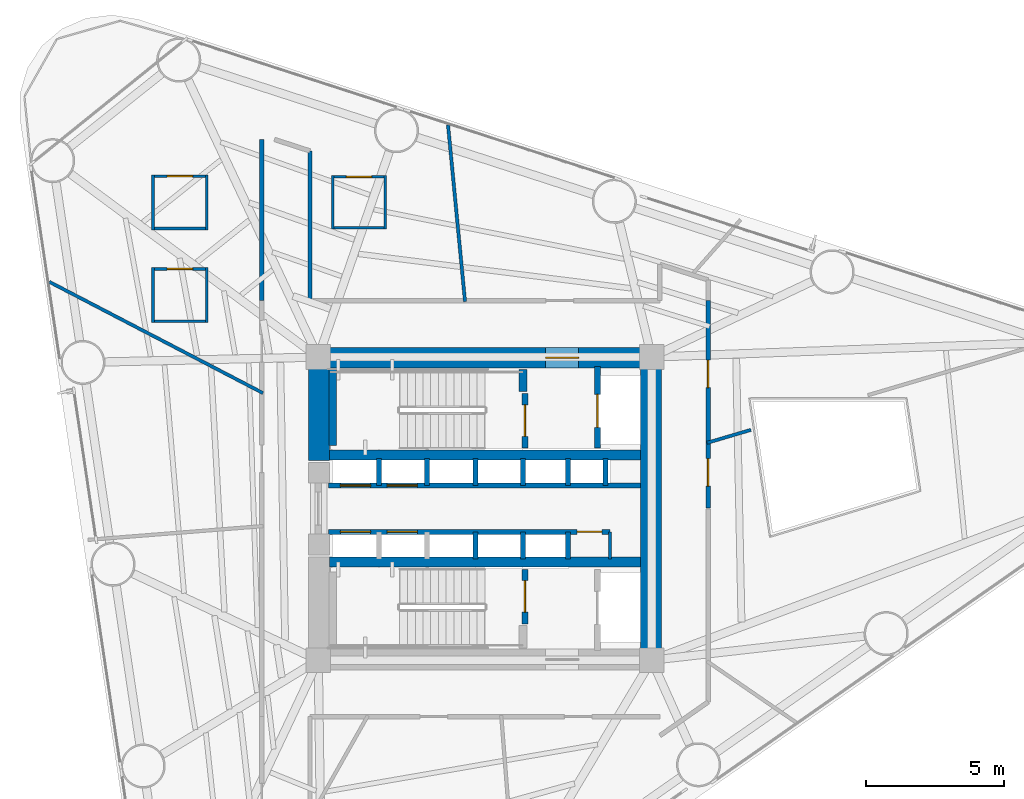
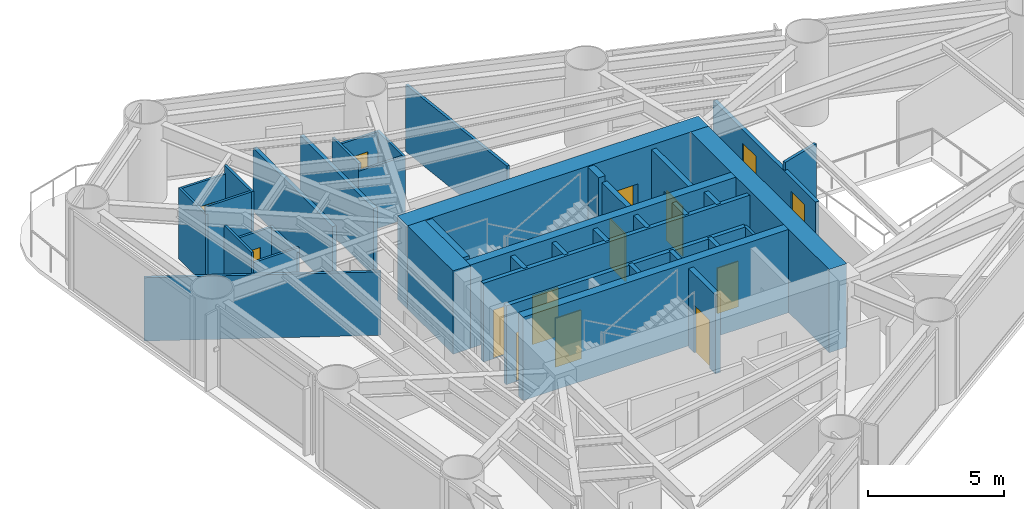
# One storey, part 6 of 9: 40 walls, 14 doors, 14 openings.
"""IFC4 building model written with IfcOpenShell, lengths in metres."""

from ifc_helpers import new_model, si_unit, direction, frame, frame_2d, origin, place, context, subcontext, project, spatial, rectangle, extrude, material, layer, layer_set, type_object, element, fill, save


model = new_model("IFC4")

# Units and contexts
model_context = context("Model", 3, precision=1e-05, world=origin(), true_north=direction((0.0, 1.0)))
body_context = subcontext(model_context, "Body", "Model", "MODEL_VIEW")
ifc_project = project(units=[si_unit("LENGTHUNIT", "METRE"), si_unit("AREAUNIT", "SQUARE_METRE"), si_unit("VOLUMEUNIT", "CUBIC_METRE"), si_unit("PLANEANGLEUNIT", "RADIAN"), si_unit("MASSUNIT", "GRAM", prefix="KILO")], contexts=[model_context])

# Site, building, storey
site_placement = place(None, origin())
site = spatial("IfcSite", under=ifc_project, at=site_placement, CompositionType="ELEMENT")
building_placement = place(site_placement, origin())
building = spatial("IfcBuilding", under=site, at=building_placement, Name="Yunling Apex Tower", CompositionType="ELEMENT")
storey_placement = place(building_placement, frame((0.0, 0.0, 73.550048828125)))
storey = spatial("IfcBuildingStorey", under=building, at=storey_placement, Name="L19", CompositionType="ELEMENT", Elevation=73.550048828125)

# Wall, opening, door
ifc_material_1 = material(Name="Concrete C60", Category="concrete")
ifc_layer_1 = layer(ifc_material_1, 0.75)
ifc_layer_set_1 = layer_set([ifc_layer_1], Name="Concrete C60")
wall_type_1 = type_object("IfcWallType", Name="WL-COR-1", PredefinedType="SHEAR", material=ifc_layer_set_1)
wall_1_placement = place(storey_placement, frame((-6.39990234375, 5.47509765625, 0.0), z_axis=(0.0, 0.0, 1.0), x_axis=(1.0, 0.0, 0.0)))
wall_1 = element("IfcWall", 1, at=wall_1_placement, inside=storey, type_object=wall_type_1, Name="L19 North Core Shear Wall", PredefinedType="SHEAR", context=body_context, shape_type="SweptSolid", body=[
    extrude(rectangle(XDim=12.7998046875, YDim=0.75, at=frame_2d((6.39990234375, 0.0))), origin(), (0.0, 0.0, 1.0), 3.75),
])
opening_1_placement = place(wall_1_placement, frame((8.60009765625, 0.0, 0.0)))
opening_1 = element("IfcOpeningElement", 2, at=opening_1_placement, cuts=wall_1, Name="Opening DR-FFL-1", PredefinedType="OPENING", context=body_context, shape_type="SweptSolid", body=[
    extrude(rectangle(XDim=1.199951171875, YDim=2.199951171875, at=frame_2d((0.60009765625, 1.10009765625))), frame((0.0, 0.385009765625, 0.0), z_axis=(0.0, -1.0, 0.0), x_axis=(1.0, 0.0, 0.0)), (0.0, 0.0, 1.0), 0.77001953125),
])
ifc_material_2 = material(Name="Steel Q355B", Category="steel")
door_type_1 = type_object("IfcDoorType", Name="DR-FFL-1", OperationType="NOTDEFINED", PredefinedType="DOOR", material=ifc_material_2)
door_1_placement = place(opening_1_placement, origin())
door_1 = element("IfcDoor", 3, at=door_1_placement, inside=storey, type_object=door_type_1, Name="L19 North Firefighting Lobby Door", OperationType="SINGLE_SWING_LEFT", OverallHeight=2.199951171875, OverallWidth=1.199951171875, PredefinedType="DOOR", context=body_context, shape_type="SweptSolid", body=[
    extrude(rectangle(XDim=1.199951171875, YDim=2.199951171875, at=frame_2d((0.60009765625, 1.10009765625))), frame((0.0, 0.02490234375, 0.0), z_axis=(0.0, -1.0, 0.0), x_axis=(1.0, 0.0, 0.0)), (0.0, 0.0, 1.0), 0.050048828125),
])
fill(opening_1, door_1)

# Walls
wall_2_placement = place(storey_placement, frame((6.02490234375, -5.10009765625, 0.0), z_axis=(0.0, 0.0, 1.0), x_axis=(0.0, 1.0, 0.0)))
element("IfcWall", 4, at=wall_2_placement, inside=storey, type_object=wall_type_1, Name="L19 East Core Shear Wall", PredefinedType="SHEAR", context=body_context, shape_type="SweptSolid", body=[
    extrude(rectangle(XDim=10.2001953125, YDim=0.75, at=frame_2d((5.10009765625, 0.0))), origin(), (0.0, 0.0, 1.0), 3.75),
])
wall_3_placement = place(storey_placement, frame((-6.02490234375, 1.75, 0.0), z_axis=(0.0, 0.0, 1.0), x_axis=(0.0, 1.0, 0.0)))
element("IfcWall", 5, at=wall_3_placement, inside=storey, type_object=wall_type_1, Name="L19 West-North Core Shear Wall", PredefinedType="SHEAR", context=body_context, shape_type="SweptSolid", body=[
    extrude(rectangle(XDim=3.35009765625, YDim=0.75, at=frame_2d((1.675048828125, 0.0))), origin(), (0.0, 0.0, 1.0), 3.75),
])
ifc_material_3 = material(Name="Concrete C40", Category="concrete")
ifc_layer_2 = layer(ifc_material_3, 0.360107421875)
ifc_layer_set_2 = layer_set([ifc_layer_2], Name="Concrete C40")
wall_type_2 = type_object("IfcWallType", Name="WL-COR-4", PredefinedType="SHEAR", material=ifc_layer_set_2)
for number, where, z_axis, x_axis, name in (
    (6, (-5.64990234375, 1.93994140625, 0.0), (0.0, 0.0, 1.0), (1.0, 0.0, 0.0), "L19 North Internal Core Shear Wall"),
    (7, (-5.64990234375, -1.93994140625, 0.0), (0.0, 0.0, 1.0), (1.0, 0.0, 0.0), "L19 South Internal Core Shear Wall"),
):
    element("IfcWall", number, at=place(storey_placement, frame(where, z_axis=z_axis, x_axis=x_axis)), inside=storey, type_object=wall_type_2, Name=name, PredefinedType="SHEAR", context=body_context, shape_type="SweptSolid", body=[
        extrude(rectangle(XDim=11.2998046875, YDim=0.360107421875, at=frame_2d((5.64990234375, 0.0))), origin(), (0.0, 0.0, 1.0), 3.75),
    ])
ifc_layer_3 = layer(ifc_material_3, 0.280029296875)
ifc_layer_set_3 = layer_set([ifc_layer_3], Name="Concrete C40")
wall_type_3 = type_object("IfcWallType", Name="WL-COR-8", PredefinedType="SHEAR", material=ifc_layer_set_3)
wall_4_placement = place(storey_placement, frame((-5.52001953125, 2.300048828125, 0.0), z_axis=(0.0, 0.0, 1.0), x_axis=(0.0, 1.0, 0.0)))
element("IfcWall", 8, at=wall_4_placement, inside=storey, type_object=wall_type_3, Name="L19 ST-1 West Landing Bearing Wall", PredefinedType="SHEAR", context=body_context, shape_type="SweptSolid", body=[
    extrude(rectangle(XDim=2.75, YDim=0.280029296875, at=frame_2d((1.375, 0.0))), origin(), (0.0, 0.0, 1.0), 3.75),
])
wall_5_placement = place(storey_placement, frame((1.3798828125, 4.25, 0.0), z_axis=(0.0, 0.0, 1.0), x_axis=(0.0, 1.0, 0.0)))
element("IfcWall", 9, at=wall_5_placement, inside=storey, type_object=wall_type_3, Name="L19 ST-1 East Landing Bearing Pier", PredefinedType="SHEAR", context=body_context, shape_type="SweptSolid", body=[
    extrude(rectangle(XDim=0.800048828125, YDim=0.280029296875, at=frame_2d((0.39990234375, 0.0))), origin(), (0.0, 0.0, 1.0), 3.75),
])
ifc_material_4 = material(Name="Gypsum board acoustic partition")
ifc_layer_4 = layer(ifc_material_4, 0.159912109375)
ifc_layer_set_4 = layer_set([ifc_layer_4], Name="Gypsum board acoustic partition")
wall_type_4 = type_object("IfcWallType", Name="WL-PRT-1", PredefinedType="PARTITIONING", material=ifc_layer_set_4)
wall_6_placement = place(storey_placement, frame((-8.10009765625, 7.550048828125, 0.0), z_axis=(0.0, 0.0, 1.0), x_axis=(0.0, 1.0, 0.0)))
element("IfcWall", 10, at=wall_6_placement, inside=storey, type_object=wall_type_4, Name="WL-CORR-L19-03", PredefinedType="PARTITIONING", context=body_context, shape_type="SweptSolid", body=[
    extrude(rectangle(XDim=5.849853515625, YDim=0.159912109375, at=frame_2d((2.9248046875, 0.0))), origin(), (0.0, 0.0, 1.0), 2.849853515625),
])
wall_7_placement = place(storey_placement, frame((-6.35009765625, 12.9814453125, 0.0), z_axis=(0.0, 0.0, 1.0), x_axis=(0.0, -1.0, 0.0)))
element("IfcWall", 11, at=wall_7_placement, inside=storey, type_object=wall_type_4, Name="WL-CORR-L19-06", PredefinedType="PARTITIONING", context=body_context, shape_type="SweptSolid", body=[
    extrude(rectangle(XDim=5.431396484375, YDim=0.159912109375, at=frame_2d((2.7158203125, 0.0))), origin(), (0.0, 0.0, 1.0), 3.050048828125),
])

# Wall, openings, doors
wall_8_placement = place(storey_placement, frame((8.10009765625, 7.550048828125, 0.0), z_axis=(0.0, 0.0, 1.0), x_axis=(0.0, -1.0, 0.0)))
wall_8 = element("IfcWall", 12, at=wall_8_placement, inside=storey, type_object=wall_type_4, Name="WL-CORR-L19-11", PredefinedType="PARTITIONING", context=body_context, shape_type="SweptSolid", body=[
    extrude(rectangle(XDim=7.530029296875, YDim=0.159912109375, at=frame_2d((3.76513671875, 0.0))), origin(), (0.0, 0.0, 1.0), 2.849853515625),
])
opening_2_placement = place(wall_8_placement, frame((2.156005859375, 0.0, 0.0)))
opening_2 = element("IfcOpeningElement", 13, at=opening_2_placement, cuts=wall_8, Name="Opening DR-OFF-1", PredefinedType="OPENING", context=body_context, shape_type="SweptSolid", body=[
    extrude(rectangle(XDim=1.0, YDim=2.25, at=frame_2d((0.5, 1.125))), frame((0.0, 0.08984375, 0.0), z_axis=(0.0, -1.0, 0.0), x_axis=(1.0, 0.0, 0.0)), (0.0, 0.0, 1.0), 0.179931640625),
])
opening_3_placement = place(wall_8_placement, frame((5.736083984375, 0.0, 0.0)))
opening_3 = element("IfcOpeningElement", 14, at=opening_3_placement, cuts=wall_8, Name="Opening DR-OFF-1", PredefinedType="OPENING", context=body_context, shape_type="SweptSolid", body=[
    extrude(rectangle(XDim=1.0, YDim=2.25, at=frame_2d((0.5, 1.125))), frame((0.0, 0.08984375, 0.0), z_axis=(0.0, -1.0, 0.0), x_axis=(1.0, 0.0, 0.0)), (0.0, 0.0, 1.0), 0.179931640625),
])
ifc_material_5 = material(Name="Bronze anodised aluminium", Category="aluminium")
door_type_2 = type_object("IfcDoorType", Name="DR-OFF-1", OperationType="NOTDEFINED", PredefinedType="DOOR", material=ifc_material_5)
door_2_placement = place(opening_2_placement, origin())
door_2 = element("IfcDoor", 15, at=door_2_placement, inside=storey, type_object=door_type_2, Name="L19 Open Plan Office Door", OperationType="SINGLE_SWING_RIGHT", OverallHeight=2.25, OverallWidth=1.0, PredefinedType="DOOR", context=body_context, shape_type="SweptSolid", body=[
    extrude(rectangle(XDim=1.0, YDim=2.25, at=frame_2d((0.5, 1.125))), frame((0.0, 0.02490234375, 0.0), z_axis=(0.0, -1.0, 0.0), x_axis=(1.0, 0.0, 0.0)), (0.0, 0.0, 1.0), 0.050048828125),
])
fill(opening_2, door_2)
door_3_placement = place(opening_3_placement, origin())
door_3 = element("IfcDoor", 16, at=door_3_placement, inside=storey, type_object=door_type_2, Name="L19 Business Reading Lounge Door", OperationType="SINGLE_SWING_LEFT", OverallHeight=2.25, OverallWidth=1.0, PredefinedType="DOOR", context=body_context, shape_type="SweptSolid", body=[
    extrude(rectangle(XDim=1.0, YDim=2.25, at=frame_2d((0.5, 1.125))), frame((0.0, 0.02490234375, 0.0), z_axis=(0.0, -1.0, 0.0), x_axis=(1.0, 0.0, 0.0)), (0.0, 0.0, 1.0), 0.050048828125),
])
fill(opening_3, door_3)

# Walls
ifc_layer_5 = layer(ifc_material_4, 0.1201171875)
ifc_layer_set_5 = layer_set([ifc_layer_5], Name="Gypsum board acoustic partition")
wall_type_5 = type_object("IfcWallType", Name="WL-PRT-3", PredefinedType="PARTITIONING", material=ifc_layer_set_5)
wall_9_placement = place(storey_placement, frame((-0.72314453125, 7.510009765625, 0.0), z_axis=(0.0, 0.0, 1.0), x_axis=(-0.095840941038, 0.995396661648, 0.0)))
element("IfcWall", 17, at=wall_9_placement, inside=storey, type_object=wall_type_5, Name="WL-RAD-L19-01", PredefinedType="PARTITIONING", context=body_context, shape_type="SweptSolid", body=[
    extrude(rectangle(XDim=6.442138671875, YDim=0.1201171875, at=frame_2d((3.22119140625, 0.0))), origin(), (0.0, 0.0, 1.0), 3.010009765625),
])
wall_10_placement = place(storey_placement, frame((-8.06005859375, 4.19580078125, 0.0), z_axis=(0.0, 0.0, 1.0), x_axis=(-0.887015422537, 0.461739797052, 0.0)))
element("IfcWall", 18, at=wall_10_placement, inside=storey, type_object=wall_type_5, Name="WL-RAD-L19-02", PredefinedType="PARTITIONING", context=body_context, shape_type="SweptSolid", body=[
    extrude(rectangle(XDim=8.737548828125, YDim=0.1201171875, at=frame_2d((4.36865234375, 0.0))), origin(), (0.0, 0.0, 1.0), 2.849853515625),
])
wall_11_placement = place(storey_placement, frame((8.06005859375, 2.387451171875, 0.0), z_axis=(0.0, 0.0, 1.0), x_axis=(0.958783289971, 0.28413835164, 0.0)))
element("IfcWall", 19, at=wall_11_placement, inside=storey, type_object=wall_type_5, Name="WL-RAD-L19-08", PredefinedType="PARTITIONING", context=body_context, shape_type="SweptSolid", body=[
    extrude(rectangle(XDim=1.661865234375, YDim=0.1201171875, at=frame_2d((0.8310546875, 0.0))), origin(), (0.0, 0.0, 1.0), 3.2099609375),
])
ifc_layer_6 = layer(ifc_material_4, 0.10009765625)
ifc_layer_set_6 = layer_set([ifc_layer_6], Name="Gypsum board acoustic partition")
wall_type_6 = type_object("IfcWallType", Name="WL-PRT-4", PredefinedType="PARTITIONING", material=ifc_layer_set_6)
wall_12_placement = place(storey_placement, frame((4.5400390625, -1.820068359375, 0.0), z_axis=(0.0, 0.0, 1.0), x_axis=(0.0, 1.0, 0.0)))
element("IfcWall", 20, at=wall_12_placement, inside=storey, type_object=wall_type_6, Name="WL-KASE-E-L19", PredefinedType="PARTITIONING", context=body_context, shape_type="SweptSolid", body=[
    extrude(rectangle(XDim=0.97998046875, YDim=0.10009765625, at=frame_2d((0.489990234375, 0.0))), origin(), (0.0, 0.0, 1.0), 3.544921875),
])

# Wall, opening, door
wall_13_placement = place(storey_placement, frame((-12.096923828125, 12.06689453125, 0.0), z_axis=(0.0, 0.0, 1.0), x_axis=(1.0, 0.0, 0.0)))
wall_13 = element("IfcWall", 21, at=wall_13_placement, inside=storey, type_object=wall_type_6, Name="WL-L19-WCMN", PredefinedType="PARTITIONING", context=body_context, shape_type="SweptSolid", body=[
    extrude(rectangle(XDim=2.0498046875, YDim=0.10009765625, at=frame_2d((1.02490234375, 0.0))), origin(), (0.0, 0.0, 1.0), 3.199951171875),
])
opening_4_placement = place(wall_13_placement, frame((0.56494140625, 0.0, 0.0)))
opening_4 = element("IfcOpeningElement", 22, at=opening_4_placement, cuts=wall_13, Name="Opening DR-WC-1", PredefinedType="OPENING", context=body_context, shape_type="SweptSolid", body=[
    extrude(rectangle(XDim=0.919921875, YDim=2.10009765625, at=frame_2d((0.4599609375, 1.050048828125))), frame((0.0, 0.06005859375, 0.0), z_axis=(0.0, -1.0, 0.0), x_axis=(1.0, 0.0, 0.0)), (0.0, 0.0, 1.0), 0.1201171875),
])
ifc_material_6 = material(Name="Timber moisture-resistant leaf", Category="wood")
door_type_3 = type_object("IfcDoorType", Name="DR-WC-1", OperationType="NOTDEFINED", PredefinedType="DOOR", material=ifc_material_6)
door_4_placement = place(opening_4_placement, origin())
door_4 = element("IfcDoor", 23, at=door_4_placement, inside=storey, type_object=door_type_3, Name="L19 Male Toilet Door", OperationType="SINGLE_SWING_LEFT", OverallHeight=2.10009765625, OverallWidth=0.919921875, PredefinedType="DOOR", context=body_context, shape_type="SweptSolid", body=[
    extrude(rectangle(XDim=0.919921875, YDim=2.10009765625, at=frame_2d((0.4599609375, 1.050048828125))), frame((0.0, 0.02490234375, 0.0), z_axis=(0.0, -1.0, 0.0), x_axis=(1.0, 0.0, 0.0)), (0.0, 0.0, 1.0), 0.050048828125),
])
fill(opening_4, door_4)

# Walls
wall_14_placement = place(storey_placement, frame((-10.047119140625, 10.1669921875, 0.0), z_axis=(0.0, 0.0, 1.0), x_axis=(-1.0, 0.0, 0.0)))
element("IfcWall", 24, at=wall_14_placement, inside=storey, type_object=wall_type_6, Name="WL-L19-WCMS", PredefinedType="PARTITIONING", context=body_context, shape_type="SweptSolid", body=[
    extrude(rectangle(XDim=2.0498046875, YDim=0.10009765625, at=frame_2d((1.02490234375, 0.0))), origin(), (0.0, 0.0, 1.0), 3.544921875),
])
wall_15_placement = place(storey_placement, frame((-10.096923828125, 12.116943359375, 0.0), z_axis=(0.0, 0.0, 1.0), x_axis=(0.0, -1.0, 0.0)))
element("IfcWall", 25, at=wall_15_placement, inside=storey, type_object=wall_type_6, Name="WL-L19-WCME", PredefinedType="PARTITIONING", context=body_context, shape_type="SweptSolid", body=[
    extrude(rectangle(XDim=2.0, YDim=0.10009765625, at=frame_2d((1.0, 0.0))), origin(), (0.0, 0.0, 1.0), 3.544921875),
])
wall_16_placement = place(storey_placement, frame((-12.047119140625, 10.116943359375, 0.0), z_axis=(0.0, 0.0, 1.0), x_axis=(0.0, 1.0, 0.0)))
element("IfcWall", 26, at=wall_16_placement, inside=storey, type_object=wall_type_6, Name="WL-L19-WCMW", PredefinedType="PARTITIONING", context=body_context, shape_type="SweptSolid", body=[
    extrude(rectangle(XDim=2.0, YDim=0.10009765625, at=frame_2d((1.0, 0.0))), origin(), (0.0, 0.0, 1.0), 3.199951171875),
])

# Wall, opening, door
wall_17_placement = place(storey_placement, frame((-12.096923828125, 8.700927734375, 0.0), z_axis=(0.0, 0.0, 1.0), x_axis=(1.0, 0.0, 0.0)))
wall_17 = element("IfcWall", 27, at=wall_17_placement, inside=storey, type_object=wall_type_6, Name="WL-L19-WCFN", PredefinedType="PARTITIONING", context=body_context, shape_type="SweptSolid", body=[
    extrude(rectangle(XDim=2.0498046875, YDim=0.10009765625, at=frame_2d((1.02490234375, 0.0))), origin(), (0.0, 0.0, 1.0), 2.849853515625),
])
opening_5_placement = place(wall_17_placement, frame((0.56494140625, 0.0, 0.0)))
opening_5 = element("IfcOpeningElement", 28, at=opening_5_placement, cuts=wall_17, Name="Opening DR-WC-1", PredefinedType="OPENING", context=body_context, shape_type="SweptSolid", body=[
    extrude(rectangle(XDim=0.919921875, YDim=2.10009765625, at=frame_2d((0.4599609375, 1.050048828125))), frame((0.0, 0.06005859375, 0.0), z_axis=(0.0, -1.0, 0.0), x_axis=(1.0, 0.0, 0.0)), (0.0, 0.0, 1.0), 0.1201171875),
])
door_5_placement = place(opening_5_placement, origin())
door_5 = element("IfcDoor", 29, at=door_5_placement, inside=storey, type_object=door_type_3, Name="L19 Female Toilet Door", OperationType="SINGLE_SWING_RIGHT", OverallHeight=2.10009765625, OverallWidth=0.919921875, PredefinedType="DOOR", context=body_context, shape_type="SweptSolid", body=[
    extrude(rectangle(XDim=0.919921875, YDim=2.10009765625, at=frame_2d((0.4599609375, 1.050048828125))), frame((0.0, 0.02490234375, 0.0), z_axis=(0.0, -1.0, 0.0), x_axis=(1.0, 0.0, 0.0)), (0.0, 0.0, 1.0), 0.050048828125),
])
fill(opening_5, door_5)

# Walls
wall_18_placement = place(storey_placement, frame((-10.047119140625, 6.801025390625, 0.0), z_axis=(0.0, 0.0, 1.0), x_axis=(-1.0, 0.0, 0.0)))
element("IfcWall", 30, at=wall_18_placement, inside=storey, type_object=wall_type_6, Name="WL-L19-WCFS", PredefinedType="PARTITIONING", context=body_context, shape_type="SweptSolid", body=[
    extrude(rectangle(XDim=2.0498046875, YDim=0.10009765625, at=frame_2d((1.02490234375, 0.0))), origin(), (0.0, 0.0, 1.0), 3.050048828125),
])
wall_19_placement = place(storey_placement, frame((-10.096923828125, 8.7509765625, 0.0), z_axis=(0.0, 0.0, 1.0), x_axis=(0.0, -1.0, 0.0)))
element("IfcWall", 31, at=wall_19_placement, inside=storey, type_object=wall_type_6, Name="WL-L19-WCFE", PredefinedType="PARTITIONING", context=body_context, shape_type="SweptSolid", body=[
    extrude(rectangle(XDim=2.0, YDim=0.10009765625, at=frame_2d((1.0, 0.0))), origin(), (0.0, 0.0, 1.0), 2.849853515625),
])
wall_20_placement = place(storey_placement, frame((-12.047119140625, 6.7509765625, 0.0), z_axis=(0.0, 0.0, 1.0), x_axis=(0.0, 1.0, 0.0)))
element("IfcWall", 32, at=wall_20_placement, inside=storey, type_object=wall_type_6, Name="WL-L19-WCFW", PredefinedType="PARTITIONING", context=body_context, shape_type="SweptSolid", body=[
    extrude(rectangle(XDim=2.0, YDim=0.10009765625, at=frame_2d((1.0, 0.0))), origin(), (0.0, 0.0, 1.0), 3.544921875),
])

# Wall, opening, door
wall_21_placement = place(storey_placement, frame((-5.572021484375, 12.0419921875, 0.0), z_axis=(0.0, 0.0, 1.0), x_axis=(1.0, 0.0, 0.0)))
wall_21 = element("IfcWall", 33, at=wall_21_placement, inside=storey, type_object=wall_type_6, Name="WL-L19-WCAN", PredefinedType="PARTITIONING", context=body_context, shape_type="SweptSolid", body=[
    extrude(rectangle(XDim=2.0, YDim=0.10009765625, at=frame_2d((1.0, 0.0))), origin(), (0.0, 0.0, 1.0), 2.849853515625),
])
opening_6_placement = place(wall_21_placement, frame((0.5400390625, 0.0, 0.0)))
opening_6 = element("IfcOpeningElement", 34, at=opening_6_placement, cuts=wall_21, Name="Opening DR-WC-1", PredefinedType="OPENING", context=body_context, shape_type="SweptSolid", body=[
    extrude(rectangle(XDim=0.919921875, YDim=2.10009765625, at=frame_2d((0.4599609375, 1.050048828125))), frame((0.0, 0.06005859375, 0.0), z_axis=(0.0, -1.0, 0.0), x_axis=(1.0, 0.0, 0.0)), (0.0, 0.0, 1.0), 0.1201171875),
])
door_6_placement = place(opening_6_placement, origin())
door_6 = element("IfcDoor", 35, at=door_6_placement, inside=storey, type_object=door_type_3, Name="L19 Accessible WC Door", OperationType="SINGLE_SWING_LEFT", OverallHeight=2.10009765625, OverallWidth=0.919921875, PredefinedType="DOOR", context=body_context, shape_type="SweptSolid", body=[
    extrude(rectangle(XDim=0.919921875, YDim=2.10009765625, at=frame_2d((0.4599609375, 1.050048828125))), frame((0.0, 0.02490234375, 0.0), z_axis=(0.0, -1.0, 0.0), x_axis=(1.0, 0.0, 0.0)), (0.0, 0.0, 1.0), 0.050048828125),
])
fill(opening_6, door_6)

# Walls
wall_22_placement = place(storey_placement, frame((-3.572021484375, 10.19189453125, 0.0), z_axis=(0.0, 0.0, 1.0), x_axis=(-1.0, 0.0, 0.0)))
element("IfcWall", 36, at=wall_22_placement, inside=storey, type_object=wall_type_6, Name="WL-L19-WCAS", PredefinedType="PARTITIONING", context=body_context, shape_type="SweptSolid", body=[
    extrude(rectangle(XDim=2.0, YDim=0.10009765625, at=frame_2d((1.0, 0.0))), origin(), (0.0, 0.0, 1.0), 2.849853515625),
])
wall_23_placement = place(storey_placement, frame((-3.6220703125, 12.092041015625, 0.0), z_axis=(0.0, 0.0, 1.0), x_axis=(0.0, -1.0, 0.0)))
element("IfcWall", 37, at=wall_23_placement, inside=storey, type_object=wall_type_6, Name="WL-L19-WCAE", PredefinedType="PARTITIONING", context=body_context, shape_type="SweptSolid", body=[
    extrude(rectangle(XDim=1.949951171875, YDim=0.10009765625, at=frame_2d((0.97509765625, 0.0))), origin(), (0.0, 0.0, 1.0), 2.849853515625),
])
wall_24_placement = place(storey_placement, frame((-5.52197265625, 10.14208984375, 0.0), z_axis=(0.0, 0.0, 1.0), x_axis=(0.0, 1.0, 0.0)))
element("IfcWall", 38, at=wall_24_placement, inside=storey, type_object=wall_type_6, Name="WL-L19-WCAW", PredefinedType="PARTITIONING", context=body_context, shape_type="SweptSolid", body=[
    extrude(rectangle(XDim=1.949951171875, YDim=0.10009765625, at=frame_2d((0.97509765625, 0.0))), origin(), (0.0, 0.0, 1.0), 3.199951171875),
])

# Wall, opening, door
ifc_material_7 = material(Name="Autoclaved aerated concrete masonry", Category="masonry")
ifc_layer_7 = layer(ifc_material_7, 0.219970703125)
ifc_layer_set_7 = layer_set([ifc_layer_7], Name="Autoclaved aerated concrete masonry")
wall_type_7 = type_object("IfcWallType", Name="WL-SHF-1", PredefinedType="PLUMBINGWALL", material=ifc_layer_set_7)
wall_25_placement = place(storey_placement, frame((1.449951171875, 2.199951171875, 0.0), z_axis=(0.0, 0.0, 1.0), x_axis=(0.0, 1.0, 0.0)))
wall_25 = element("IfcWall", 39, at=wall_25_placement, inside=storey, type_object=wall_type_7, Name="WL-ST1-E-L19", PredefinedType="PLUMBINGWALL", context=body_context, shape_type="SweptSolid", body=[
    extrude(rectangle(XDim=1.97998046875, YDim=0.219970703125, at=frame_2d((0.989990234375, 0.0))), origin(), (0.0, 0.0, 1.0), 3.544921875),
])
opening_7_placement = place(wall_25_placement, frame((0.419921875, 0.0, 0.0)))
opening_7 = element("IfcOpeningElement", 40, at=opening_7_placement, cuts=wall_25, Name="Opening DR-ST-1", PredefinedType="OPENING", context=body_context, shape_type="SweptSolid", body=[
    extrude(rectangle(XDim=1.14990234375, YDim=2.14990234375, at=frame_2d((0.574951171875, 1.074951171875))), frame((0.0, 0.1201171875, 0.0), z_axis=(0.0, -1.0, 0.0), x_axis=(1.0, 0.0, 0.0)), (0.0, 0.0, 1.0), 0.239990234375),
])
door_type_4 = type_object("IfcDoorType", Name="DR-ST-1", OperationType="NOTDEFINED", PredefinedType="DOOR", material=ifc_material_2)
door_7_placement = place(opening_7_placement, origin())
door_7 = element("IfcDoor", 41, at=door_7_placement, inside=storey, type_object=door_type_4, Name="L19 Stair ST-1 Fire Door", OperationType="SINGLE_SWING_RIGHT", OverallHeight=2.14990234375, OverallWidth=1.14990234375, PredefinedType="DOOR", context=body_context, shape_type="SweptSolid", body=[
    extrude(rectangle(XDim=1.14990234375, YDim=2.14990234375, at=frame_2d((0.574951171875, 1.074951171875))), frame((0.0, 0.02490234375, 0.0), z_axis=(0.0, -1.0, 0.0), x_axis=(1.0, 0.0, 0.0)), (0.0, 0.0, 1.0), 0.050048828125),
])
fill(opening_7, door_7)

wall_26_placement = place(storey_placement, frame((4.080078125, 2.199951171875, 0.0), z_axis=(0.0, 0.0, 1.0), x_axis=(0.0, 1.0, 0.0)))
wall_26 = element("IfcWall", 42, at=wall_26_placement, inside=storey, type_object=wall_type_7, Name="WL-FFL1-W-L19", PredefinedType="PLUMBINGWALL", context=body_context, shape_type="SweptSolid", body=[
    extrude(rectangle(XDim=2.949951171875, YDim=0.219970703125, at=frame_2d((1.47509765625, 0.0))), origin(), (0.0, 0.0, 1.0), 3.544921875),
])
opening_8_placement = place(wall_26_placement, frame((0.75, 0.0, 0.0)))
opening_8 = element("IfcOpeningElement", 43, at=opening_8_placement, cuts=wall_26, Name="Opening LD-FFL-1", PredefinedType="OPENING", context=body_context, shape_type="SweptSolid", body=[
    extrude(rectangle(XDim=1.199951171875, YDim=2.25, at=frame_2d((0.60009765625, 1.125))), frame((0.0, 0.1201171875, 0.0), z_axis=(0.0, -1.0, 0.0), x_axis=(1.0, 0.0, 0.0)), (0.0, 0.0, 1.0), 0.239990234375),
])
door_type_5 = type_object("IfcDoorType", Name="LD-FFL-1", OperationType="DOUBLE_DOOR_SLIDING", PredefinedType="DOOR", material=ifc_material_2)
door_8_placement = place(opening_8_placement, origin())
door_8 = element("IfcDoor", 44, at=door_8_placement, inside=storey, type_object=door_type_5, Name="L19 Lift FFL-1 Landing Door", OperationType="DOUBLE_DOOR_SLIDING", OverallHeight=2.25, OverallWidth=1.199951171875, PredefinedType="DOOR", context=body_context, shape_type="SweptSolid", body=[
    extrude(rectangle(XDim=1.199951171875, YDim=2.25, at=frame_2d((0.60009765625, 1.125))), frame((0.0, 0.02490234375, 0.0), z_axis=(0.0, -1.0, 0.0), x_axis=(1.0, 0.0, 0.0)), (0.0, 0.0, 1.0), 0.050048828125),
])
fill(opening_8, door_8)

wall_27_placement = place(storey_placement, frame((1.449951171875, -4.179931640625, 0.0), z_axis=(0.0, 0.0, 1.0), x_axis=(0.0, 1.0, 0.0)))
wall_27 = element("IfcWall", 45, at=wall_27_placement, inside=storey, type_object=wall_type_7, Name="WL-ST2-E-L19", PredefinedType="PLUMBINGWALL", context=body_context, shape_type="SweptSolid", body=[
    extrude(rectangle(XDim=1.97998046875, YDim=0.219970703125, at=frame_2d((0.989990234375, 0.0))), origin(), (0.0, 0.0, 1.0), 3.544921875),
])
opening_9_placement = place(wall_27_placement, frame((0.419921875, 0.0, 0.0)))
opening_9 = element("IfcOpeningElement", 46, at=opening_9_placement, cuts=wall_27, Name="Opening DR-ST-1", PredefinedType="OPENING", context=body_context, shape_type="SweptSolid", body=[
    extrude(rectangle(XDim=1.14990234375, YDim=2.14990234375, at=frame_2d((0.574951171875, 1.074951171875))), frame((0.0, 0.1201171875, 0.0), z_axis=(0.0, -1.0, 0.0), x_axis=(1.0, 0.0, 0.0)), (0.0, 0.0, 1.0), 0.239990234375),
])
door_9_placement = place(opening_9_placement, origin())
door_9 = element("IfcDoor", 47, at=door_9_placement, inside=storey, type_object=door_type_4, Name="L19 Stair ST-2 Fire Door", OperationType="SINGLE_SWING_LEFT", OverallHeight=2.14990234375, OverallWidth=1.14990234375, PredefinedType="DOOR", context=body_context, shape_type="SweptSolid", body=[
    extrude(rectangle(XDim=1.14990234375, YDim=2.14990234375, at=frame_2d((0.574951171875, 1.074951171875))), frame((0.0, 0.02490234375, 0.0), z_axis=(0.0, -1.0, 0.0), x_axis=(1.0, 0.0, 0.0)), (0.0, 0.0, 1.0), 0.050048828125),
])
fill(opening_9, door_9)

# Walls
ifc_layer_8 = layer(ifc_material_7, 0.179931640625)
ifc_layer_set_8 = layer_set([ifc_layer_8], Name="Autoclaved aerated concrete masonry")
wall_type_8 = type_object("IfcWallType", Name="WL-SHF-2", PredefinedType="PLUMBINGWALL", material=ifc_layer_set_8)
for number, where, z_axis, x_axis, name in (
    (48, (-3.85009765625, 0.840087890625, 0.0), (0.0, 0.0, 1.0), (0.0, 1.0, 0.0), "WL-DIV-L12-L19"),
    (49, (-2.10009765625, 0.840087890625, 0.0), (0.0, 0.0, 1.0), (0.0, 1.0, 0.0), "WL-BNK-LM-N-L19"),
    (50, (-0.35009765625, 0.840087890625, 0.0), (0.0, 0.0, 1.0), (0.0, 1.0, 0.0), "WL-DIV-M12-L19"),
    (51, (-0.35009765625, -1.820068359375, 0.0), (0.0, 0.0, 1.0), (0.0, 1.0, 0.0), "WL-DIV-M34-L19"),
    (52, (1.3798828125, 0.840087890625, 0.0), (0.0, 0.0, 1.0), (0.0, 1.0, 0.0), "WL-BNK-MH-N-L19"),
    (53, (1.3798828125, -1.820068359375, 0.0), (0.0, 0.0, 1.0), (0.0, 1.0, 0.0), "WL-BNK-MH-S-L19"),
    (54, (3.02001953125, 0.840087890625, 0.0), (0.0, 0.0, 1.0), (0.0, 1.0, 0.0), "WL-DIV-H13-L19"),
    (55, (4.3798828125, 0.840087890625, 0.0), (0.0, 0.0, 1.0), (0.0, 1.0, 0.0), "WL-END-H3E-L19"),
    (56, (3.02001953125, -1.820068359375, 0.0), (0.0, 0.0, 1.0), (0.0, 1.0, 0.0), "WL-END-H2E-L19"),
):
    element("IfcWall", number, at=place(storey_placement, frame(where, z_axis=z_axis, x_axis=x_axis)), inside=storey, type_object=wall_type_8, Name=name, PredefinedType="PLUMBINGWALL", context=body_context, shape_type="SweptSolid", body=[
        extrude(rectangle(XDim=0.97998046875, YDim=0.179931640625, at=frame_2d((0.489990234375, 0.0))), origin(), (0.0, 0.0, 1.0), 3.544921875),
    ])

# Wall, openings, doors
wall_28_placement = place(storey_placement, frame((-5.679931640625, 0.840087890625, 0.0), z_axis=(0.0, 0.0, 1.0), x_axis=(1.0, 0.0, 0.0)))
wall_28 = element("IfcWall", 57, at=wall_28_placement, inside=storey, type_object=wall_type_8, Name="WL-LOB-N-L19", PredefinedType="PLUMBINGWALL", context=body_context, shape_type="SweptSolid", body=[
    extrude(rectangle(XDim=11.329833984375, YDim=0.179931640625, at=frame_2d((5.6650390625, 0.0))), origin(), (0.0, 0.0, 1.0), 3.544921875),
])
opening_10_placement = place(wall_28_placement, frame((0.429931640625, 0.0, 0.0)))
opening_10 = element("IfcOpeningElement", 58, at=opening_10_placement, cuts=wall_28, Name="Opening LD-PAS-1", PredefinedType="OPENING", context=body_context, shape_type="SweptSolid", body=[
    extrude(rectangle(XDim=1.10009765625, YDim=2.199951171875, at=frame_2d((0.550048828125, 1.10009765625))), frame((0.0, 0.10009765625, 0.0), z_axis=(0.0, -1.0, 0.0), x_axis=(1.0, 0.0, 0.0)), (0.0, 0.0, 1.0), 0.199951171875),
])
opening_11_placement = place(wall_28_placement, frame((2.1298828125, 0.0, 0.0)))
opening_11 = element("IfcOpeningElement", 59, at=opening_11_placement, cuts=wall_28, Name="Opening LD-PAS-1", PredefinedType="OPENING", context=body_context, shape_type="SweptSolid", body=[
    extrude(rectangle(XDim=1.10009765625, YDim=2.199951171875, at=frame_2d((0.550048828125, 1.10009765625))), frame((0.0, 0.10009765625, 0.0), z_axis=(0.0, -1.0, 0.0), x_axis=(1.0, 0.0, 0.0)), (0.0, 0.0, 1.0), 0.199951171875),
])
ifc_material_8 = material(Name="Silver anodised aluminium", Category="aluminium")
door_type_6 = type_object("IfcDoorType", Name="LD-PAS-1", OperationType="DOUBLE_DOOR_SLIDING", PredefinedType="DOOR", material=ifc_material_8)
door_10_placement = place(opening_10_placement, origin())
door_10 = element("IfcDoor", 60, at=door_10_placement, inside=storey, type_object=door_type_6, Name="L19 Lift PL-L1 Landing Door", OperationType="DOUBLE_DOOR_SLIDING", OverallHeight=2.199951171875, OverallWidth=1.10009765625, PredefinedType="DOOR", context=body_context, shape_type="SweptSolid", body=[
    extrude(rectangle(XDim=1.10009765625, YDim=2.199951171875, at=frame_2d((0.550048828125, 1.10009765625))), frame((0.0, 0.02490234375, 0.0), z_axis=(0.0, -1.0, 0.0), x_axis=(1.0, 0.0, 0.0)), (0.0, 0.0, 1.0), 0.050048828125),
])
fill(opening_10, door_10)
door_11_placement = place(opening_11_placement, origin())
door_11 = element("IfcDoor", 61, at=door_11_placement, inside=storey, type_object=door_type_6, Name="L19 Lift PL-L2 Landing Door", OperationType="DOUBLE_DOOR_SLIDING", OverallHeight=2.199951171875, OverallWidth=1.10009765625, PredefinedType="DOOR", context=body_context, shape_type="SweptSolid", body=[
    extrude(rectangle(XDim=1.10009765625, YDim=2.199951171875, at=frame_2d((0.550048828125, 1.10009765625))), frame((0.0, 0.02490234375, 0.0), z_axis=(0.0, -1.0, 0.0), x_axis=(1.0, 0.0, 0.0)), (0.0, 0.0, 1.0), 0.050048828125),
])
fill(opening_11, door_11)

wall_29_placement = place(storey_placement, frame((-5.679931640625, -0.840087890625, 0.0), z_axis=(0.0, 0.0, 1.0), x_axis=(1.0, 0.0, 0.0)))
wall_29 = element("IfcWall", 62, at=wall_29_placement, inside=storey, type_object=wall_type_8, Name="WL-LOB-S-L19", PredefinedType="PLUMBINGWALL", context=body_context, shape_type="SweptSolid", body=[
    extrude(rectangle(XDim=10.219970703125, YDim=0.179931640625, at=frame_2d((5.10986328125, 0.0))), origin(), (0.0, 0.0, 1.0), 3.544921875),
])
opening_12_placement = place(wall_29_placement, frame((0.429931640625, 0.0, 0.0)))
opening_12 = element("IfcOpeningElement", 63, at=opening_12_placement, cuts=wall_29, Name="Opening LD-PAS-1", PredefinedType="OPENING", context=body_context, shape_type="SweptSolid", body=[
    extrude(rectangle(XDim=1.10009765625, YDim=2.199951171875, at=frame_2d((0.550048828125, 1.10009765625))), frame((0.0, 0.10009765625, 0.0), z_axis=(0.0, -1.0, 0.0), x_axis=(1.0, 0.0, 0.0)), (0.0, 0.0, 1.0), 0.199951171875),
])
opening_13_placement = place(wall_29_placement, frame((2.1298828125, 0.0, 0.0)))
opening_13 = element("IfcOpeningElement", 64, at=opening_13_placement, cuts=wall_29, Name="Opening LD-PAS-1", PredefinedType="OPENING", context=body_context, shape_type="SweptSolid", body=[
    extrude(rectangle(XDim=1.10009765625, YDim=2.199951171875, at=frame_2d((0.550048828125, 1.10009765625))), frame((0.0, 0.10009765625, 0.0), z_axis=(0.0, -1.0, 0.0), x_axis=(1.0, 0.0, 0.0)), (0.0, 0.0, 1.0), 0.199951171875),
])
opening_14_placement = place(wall_29_placement, frame((9.02001953125, 0.0, 0.0)))
opening_14 = element("IfcOpeningElement", 65, at=opening_14_placement, cuts=wall_29, Name="Opening DR-SHF-1", PredefinedType="OPENING", context=body_context, shape_type="SweptSolid", body=[
    extrude(rectangle(XDim=0.89990234375, YDim=2.050048828125, at=frame_2d((0.449951171875, 1.02490234375))), frame((0.0, 0.10009765625, 0.0), z_axis=(0.0, -1.0, 0.0), x_axis=(1.0, 0.0, 0.0)), (0.0, 0.0, 1.0), 0.199951171875),
])
door_type_7 = type_object("IfcDoorType", Name="DR-SHF-1", OperationType="NOTDEFINED", PredefinedType="DOOR", material=ifc_material_2)
door_12_placement = place(opening_14_placement, origin())
door_12 = element("IfcDoor", 66, at=door_12_placement, inside=storey, type_object=door_type_7, Name="L19 Core Electrical Room Door", OperationType="SINGLE_SWING_RIGHT", OverallHeight=2.050048828125, OverallWidth=0.89990234375, PredefinedType="DOOR", context=body_context, shape_type="SweptSolid", body=[
    extrude(rectangle(XDim=0.89990234375, YDim=2.050048828125, at=frame_2d((0.449951171875, 1.02490234375))), frame((0.0, 0.02490234375, 0.0), z_axis=(0.0, -1.0, 0.0), x_axis=(1.0, 0.0, 0.0)), (0.0, 0.0, 1.0), 0.050048828125),
])
fill(opening_14, door_12)
door_13_placement = place(opening_12_placement, origin())
door_13 = element("IfcDoor", 67, at=door_13_placement, inside=storey, type_object=door_type_6, Name="L19 Lift PL-L3 Landing Door", OperationType="DOUBLE_DOOR_SLIDING", OverallHeight=2.199951171875, OverallWidth=1.10009765625, PredefinedType="DOOR", context=body_context, shape_type="SweptSolid", body=[
    extrude(rectangle(XDim=1.10009765625, YDim=2.199951171875, at=frame_2d((0.550048828125, 1.10009765625))), frame((0.0, 0.02490234375, 0.0), z_axis=(0.0, -1.0, 0.0), x_axis=(1.0, 0.0, 0.0)), (0.0, 0.0, 1.0), 0.050048828125),
])
fill(opening_12, door_13)
door_14_placement = place(opening_13_placement, origin())
door_14 = element("IfcDoor", 68, at=door_14_placement, inside=storey, type_object=door_type_6, Name="L19 Lift PL-L4 Landing Door", OperationType="DOUBLE_DOOR_SLIDING", OverallHeight=2.199951171875, OverallWidth=1.10009765625, PredefinedType="DOOR", context=body_context, shape_type="SweptSolid", body=[
    extrude(rectangle(XDim=1.10009765625, YDim=2.199951171875, at=frame_2d((0.550048828125, 1.10009765625))), frame((0.0, 0.02490234375, 0.0), z_axis=(0.0, -1.0, 0.0), x_axis=(1.0, 0.0, 0.0)), (0.0, 0.0, 1.0), 0.050048828125),
])
fill(opening_13, door_14)

save(model, "model.ifc")
